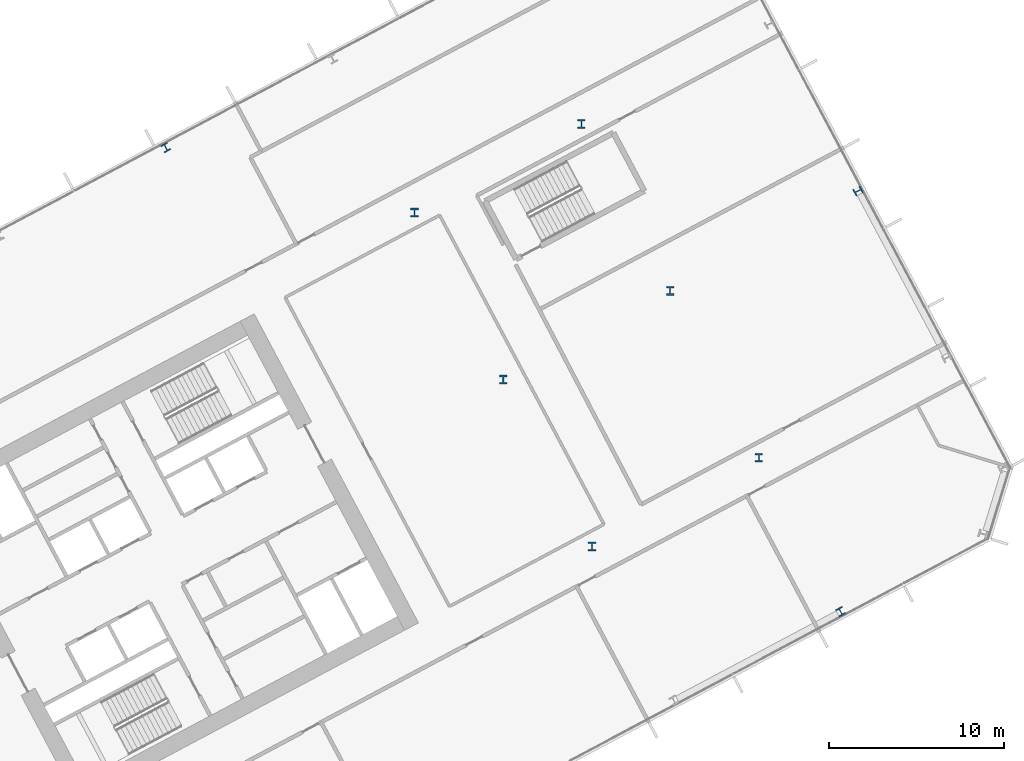
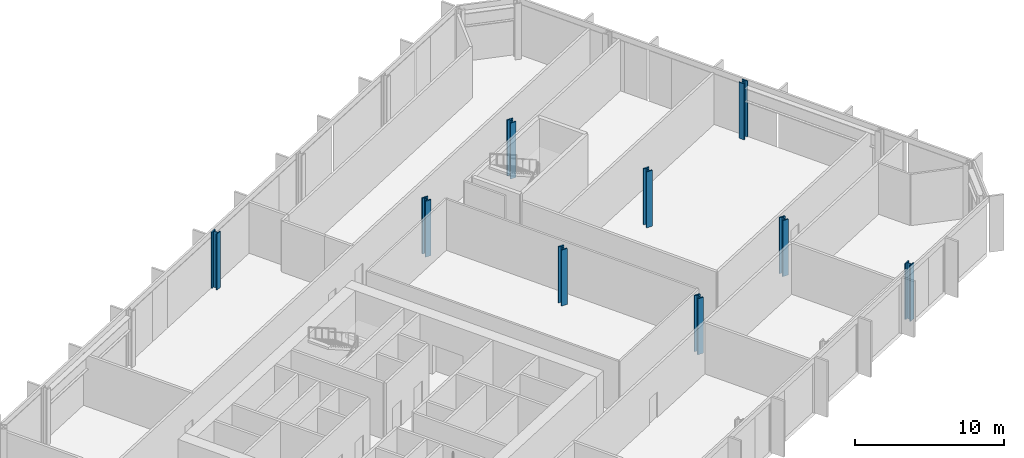
# One storey, part 4 of 32: 9 columns.
"""IFC4 building model written with IfcOpenShell, lengths in metres."""

from ifc_helpers import new_model, si_unit, direction, frame, origin, origin_2d, place, context, subcontext, project, spatial, i_section, extrude, material, material_profile, profile_set, type_object, element, save


model = new_model("IFC4")

# Units and contexts
model_context = context("Model", 3, precision=1e-05, world=origin(), true_north=direction((0.0, 1.0)))
body_context = subcontext(model_context, "Body", "Model", "MODEL_VIEW")
ifc_project = project(units=[si_unit("LENGTHUNIT", "METRE"), si_unit("AREAUNIT", "SQUARE_METRE"), si_unit("VOLUMEUNIT", "CUBIC_METRE"), si_unit("PLANEANGLEUNIT", "RADIAN"), si_unit("MASSUNIT", "GRAM", prefix="KILO")], contexts=[model_context])

# Site, building, storey
site_placement = place(None, origin())
site = spatial("IfcSite", under=ifc_project, at=site_placement, CompositionType="ELEMENT")
building_placement = place(site_placement, origin())
building = spatial("IfcBuilding", under=site, at=building_placement, Name="Cormorant Relay Tower", CompositionType="ELEMENT")
storey_placement = place(building_placement, frame((0.0, 0.0, 66.199951171875)))
storey = spatial("IfcBuildingStorey", under=building, at=storey_placement, Name="L12", CompositionType="ELEMENT", Elevation=66.199951171875)

# Columns
ifc_material_1 = material(Name="Steel ASTM A992 (Fy 345 MPa)", Category="steel")
ifc_material_profile_1 = material_profile(ifc_material_1, i_section(OverallWidth=0.42431640625, OverallDepth=0.47509765625, WebThickness=0.0478515625, FlangeThickness=0.0771484375, FilletRadius=0.014892578125, at=origin_2d()), Name="W360x634")
ifc_profile_set_1 = profile_set([ifc_material_profile_1], Name="Steel ASTM A992 (Fy 345 MPa)")
column_type_1 = type_object("IfcColumnType", Name="Column W360x634", PredefinedType="COLUMN", material=ifc_profile_set_1)
for number, where, z_axis, x_axis, name in (
    (1, (62.3701171875, 9.65087890625, 0.0), (0.0, 0.0, 1.0), (0.882947592859, 0.469471562786, 0.0), "Column L12-020"),
    (2, (63.360107421875, 33.68896484375, 0.0), (0.0, 0.0, 1.0), (-0.469471562786, 0.882947592859, 0.0), "Column L12-042"),
    (3, (23.805908203125, 36.169921875, 0.0), (0.0, 0.0, 1.0), (-0.882947592859, -0.469471562786, 0.0), "Column L12-044"),
):
    element("IfcColumn", number, at=place(storey_placement, frame(where, z_axis=z_axis, x_axis=x_axis)), inside=storey, type_object=column_type_1, Name=name, PredefinedType="COLUMN", context=body_context, shape_type="SweptSolid", body=[
        extrude(i_section(OverallWidth=0.42431640625, OverallDepth=0.47509765625, WebThickness=0.0478515625, FlangeThickness=0.0771484375, FilletRadius=0.014892578125, at=origin_2d()), origin(), (0.0, 0.0, 1.0), 4.60009765625),
    ])
ifc_material_2 = material(Name="Steel ASTM A992 (Fy 345 MPa)", Category="steel")
ifc_material_profile_2 = material_profile(ifc_material_2, i_section(OverallWidth=0.43701171875, OverallDepth=0.51318359375, WebThickness=0.060546875, FlangeThickness=0.096923828125, FilletRadius=0.015380859375, at=origin_2d()), Name="W360x818")
ifc_profile_set_2 = profile_set([ifc_material_profile_2], Name="Steel ASTM A992 (Fy 345 MPa)")
column_type_2 = type_object("IfcColumnType", Name="Column W360x818", PredefinedType="COLUMN", material=ifc_profile_set_2)
for number, where, z_axis, x_axis, name in (
    (4, (48.157958984375, 13.3740234375, 0.0), (0.0, 0.0, 1.0), (1.0, 0.0, 0.0), "Column L12-025"),
    (5, (57.694091796875, 18.445068359375, 0.0), (0.0, 0.0, 1.0), (1.0, 0.0, 0.0), "Column L12-029"),
    (6, (43.087890625, 22.909912109375, 0.0), (0.0, 0.0, 1.0), (1.0, 0.0, 0.0), "Column L12-031"),
    (7, (52.6240234375, 27.98095703125, 0.0), (0.0, 0.0, 1.0), (1.0, 0.0, 0.0), "Column L12-037"),
    (8, (38.01806640625, 32.446044921875, 0.0), (0.0, 0.0, 1.0), (1.0, 0.0, 0.0), "Column L12-040"),
    (9, (47.552978515625, 37.51611328125, 0.0), (0.0, 0.0, 1.0), (1.0, 0.0, 0.0), "Column L12-045"),
):
    element("IfcColumn", number, at=place(storey_placement, frame(where, z_axis=z_axis, x_axis=x_axis)), inside=storey, type_object=column_type_2, Name=name, PredefinedType="COLUMN", context=body_context, shape_type="SweptSolid", body=[
        extrude(i_section(OverallWidth=0.43701171875, OverallDepth=0.51318359375, WebThickness=0.060546875, FlangeThickness=0.096923828125, FilletRadius=0.015380859375, at=origin_2d()), origin(), (0.0, 0.0, 1.0), 4.60009765625),
    ])

save(model, "model.ifc")
